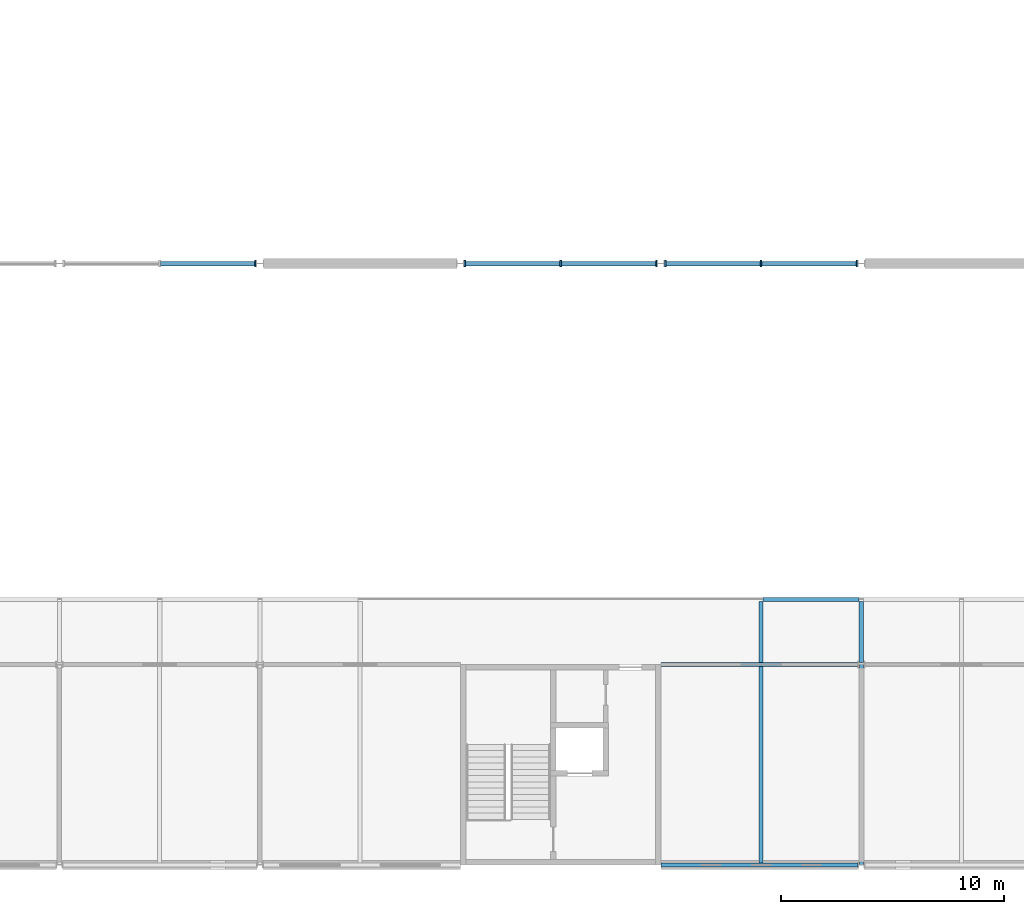
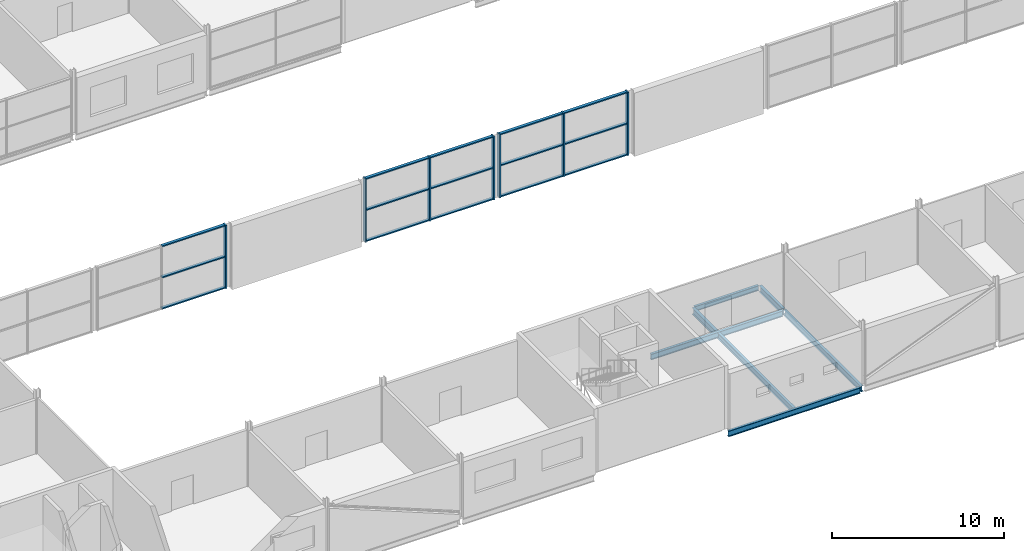
# One storey, part 29 of 97: 22 members, 7 beams, 3 elements without a shape of their own.
"""IFC4 building model written with IfcOpenShell, lengths in metres."""

from ifc_helpers import new_model, si_unit, direction, frame, origin, origin_2d, place, context, subcontext, project, spatial, rectangle, i_section, extrude, material, layer, layer_set, material_profile, profile_set, type_object, element, aggregate, save


model = new_model("IFC4")

# Units and contexts
model_context = context("Model", 3, precision=1e-05, world=origin(), true_north=direction((0.0, 1.0)))
body_context = subcontext(model_context, "Body", "Model", "MODEL_VIEW")
ifc_project = project(units=[si_unit("LENGTHUNIT", "METRE"), si_unit("AREAUNIT", "SQUARE_METRE"), si_unit("VOLUMEUNIT", "CUBIC_METRE"), si_unit("PLANEANGLEUNIT", "RADIAN"), si_unit("MASSUNIT", "GRAM", prefix="KILO")], contexts=[model_context])

# Site, building, storey
site_placement = place(None, origin())
site = spatial("IfcSite", under=ifc_project, at=site_placement, CompositionType="ELEMENT")
building_placement = place(site_placement, origin())
building = spatial("IfcBuilding", under=site, at=building_placement, Name="Corbel Yard City Hall", CompositionType="ELEMENT")
storey_placement = place(building_placement, frame((0.0, 0.0, 6.0)))
storey = spatial("IfcBuildingStorey", under=building, at=storey_placement, Name="L01", CompositionType="ELEMENT", Elevation=6.0)

# Beams
ifc_material_1 = material(Name="Steel Grade 300 (300 MPa yield)", Category="steel")
ifc_material_profile_1 = material_profile(ifc_material_1, i_section(OverallWidth=0.177978515625, OverallDepth=0.403076171875, WebThickness=0.007568359375, FlangeThickness=0.010986328125, at=origin_2d()), Name="410UB53.7")
ifc_profile_set_1 = profile_set([ifc_material_profile_1], Name="Steel Grade 300 (300 MPa yield)")
beam_type_1 = type_object("IfcBeamType", Name="Beam 410UB53.7", PredefinedType="BEAM", material=ifc_profile_set_1)
beam_1_placement = place(storey_placement, frame((63.0, 0.005859375, -0.3515625), z_axis=(0.0, 1.0, 0.0), x_axis=(-1.0, 0.0, 0.0)))
element("IfcBeam", 1, at=beam_1_placement, inside=storey, type_object=beam_type_1, Name="Beam 410UB53.7 SB6 L01floor", PredefinedType="BEAM", context=body_context, shape_type="SweptSolid", body=[
    extrude(i_section(OverallWidth=0.177978515625, OverallDepth=0.403076171875, WebThickness=0.007568359375, FlangeThickness=0.010986328125, at=origin_2d()), origin(), (0.0, 0.0, 1.0), 8.986328125),
])
ifc_material_profile_2 = material_profile(ifc_material_1, i_section(OverallWidth=0.177978515625, OverallDepth=0.406005859375, WebThickness=0.0078125, FlangeThickness=0.0126953125, at=origin_2d()), Name="410UB59.7")
ifc_profile_set_2 = profile_set([ifc_material_profile_2], Name="Steel Grade 300 (300 MPa yield)")
beam_type_2 = type_object("IfcBeamType", Name="Edge beam 410UB59.7", PredefinedType="BEAM", material=ifc_profile_set_2)
beam_2_placement = place(storey_placement, frame((54.0, 0.0, -0.35302734375), z_axis=(1.0, 0.0, 0.0), x_axis=(0.0, 1.0, 0.0)))
element("IfcBeam", 2, at=beam_2_placement, inside=storey, type_object=beam_type_2, Name="Edge beam 410UB59.7 EB2 L01floor", PredefinedType="BEAM", context=body_context, shape_type="SweptSolid", body=[
    extrude(i_section(OverallWidth=0.177978515625, OverallDepth=0.406005859375, WebThickness=0.0078125, FlangeThickness=0.0126953125, at=origin_2d()), origin(), (0.0, 0.0, 1.0), 8.842529296875),
])
beam_3_placement = place(storey_placement, frame((54.0, 9.0, -0.35302734375), z_axis=(1.0, 0.0, 0.0), x_axis=(0.0, 1.0, 0.0)))
element("IfcBeam", 3, at=beam_3_placement, inside=storey, type_object=beam_type_2, Name="Edge beam 410UB59.7 EB2 L01floor", PredefinedType="BEAM", context=body_context, shape_type="SweptSolid", body=[
    extrude(i_section(OverallWidth=0.177978515625, OverallDepth=0.406005859375, WebThickness=0.0078125, FlangeThickness=0.0126953125, at=origin_2d()), origin(), (0.0, 0.0, 1.0), 8.83642578125),
])
ifc_material_profile_3 = material_profile(ifc_material_1, i_section(OverallWidth=0.18994140625, OverallDepth=0.4541015625, WebThickness=0.008544921875, FlangeThickness=0.0126953125, at=origin_2d()), Name="460UB67.1")
ifc_profile_set_3 = profile_set([ifc_material_profile_3], Name="Steel Grade 300 (300 MPa yield)")
beam_type_3 = type_object("IfcBeamType", Name="Gallery bracket 460UB67.1", PredefinedType="BEAM", material=ifc_profile_set_3)
for number, where, z_axis, x_axis, name in (
    (4, (58.5, 9.089111328125, -0.376953125), (0.0, 1.0, 0.0), (-1.0, 0.0, 0.0), "Gallery bracket 460UB67.1 CB2 L01"),
    (5, (63.0, 9.089111328125, -0.376953125), (0.0, 1.0, 0.0), (-1.0, 0.0, 0.0), "Gallery bracket 460UB67.1 CB2 L01"),
):
    element("IfcBeam", number, at=place(storey_placement, frame(where, z_axis=z_axis, x_axis=x_axis)), inside=storey, type_object=beam_type_3, Name=name, PredefinedType="BEAM", context=body_context, shape_type="SweptSolid", body=[
        extrude(i_section(OverallWidth=0.18994140625, OverallDepth=0.4541015625, WebThickness=0.008544921875, FlangeThickness=0.0126953125, at=origin_2d()), origin(), (0.0, 0.0, 1.0), 2.739990234375),
    ])
ifc_material_profile_4 = material_profile(ifc_material_1, i_section(OverallWidth=0.1708984375, OverallDepth=0.35205078125, WebThickness=0.0068359375, FlangeThickness=0.009765625, at=origin_2d()), Name="360UB44.7")
ifc_profile_set_4 = profile_set([ifc_material_profile_4], Name="Steel Grade 300 (300 MPa yield)")
beam_type_4 = type_object("IfcBeamType", Name="Gallery edge beam 360UB44.7", PredefinedType="BEAM", material=ifc_profile_set_4)
beam_4_placement = place(storey_placement, frame((58.594970703125, 11.91455078125, -0.325927734375), z_axis=(1.0, 0.0, 0.0), x_axis=(0.0, 1.0, 0.0)))
element("IfcBeam", 6, at=beam_4_placement, inside=storey, type_object=beam_type_4, Name="Gallery edge beam 360UB44.7 EB13 L01", PredefinedType="BEAM", context=body_context, shape_type="SweptSolid", body=[
    extrude(i_section(OverallWidth=0.1708984375, OverallDepth=0.35205078125, WebThickness=0.0068359375, FlangeThickness=0.009765625, at=origin_2d()), origin(), (0.0, 0.0, 1.0), 4.31005859375),
])

# Curtain wall, member
ifc_material_2 = material(Name="Aluminium extrusion", Category="aluminium")
ifc_layer = layer(ifc_material_2, 0.300048828125)
ifc_layer_set = layer_set([ifc_layer], Name="Aluminium extrusion")
curtain_wall_type = type_object("IfcCurtainWallType", Name="CW7", PredefinedType="USERDEFINED", material=ifc_layer_set)
curtain_wall_1_placement = place(storey_placement, origin())
curtain_wall_1 = element("IfcCurtainWall", 7, at=curtain_wall_1_placement, inside=storey, type_object=curtain_wall_type, Name="Curtain wall CW7 L01", ObjectType="CURTAIN WALL", PredefinedType="USERDEFINED")
ifc_material_profile_5 = material_profile(ifc_material_2, rectangle(XDim=0.300048828125, YDim=0.080078125, at=origin_2d()), Name="300x80")
ifc_profile_set_5 = profile_set([ifc_material_profile_5], Name="Aluminium extrusion")
member_type_1 = type_object("IfcMemberType", Name="ML7", PredefinedType="MULLION", material=ifc_profile_set_5)
member_1_placement = place(storey_placement, frame((35.802490234375, 27.0, 0.0), z_axis=(0.0, 0.0, 1.0), x_axis=(0.0, 1.0, 0.0)))
member_1 = element("IfcMember", 8, at=member_1_placement, type_object=member_type_1, Name="CW7 mullion 3", PredefinedType="MULLION", context=body_context, shape_type="SweptSolid", body=[
    extrude(rectangle(XDim=0.300048828125, YDim=0.080078125, at=origin_2d()), origin(), (0.0, 0.0, 1.0), 4.5),
])

# Curtain wall, members
curtain_wall_2_placement = place(storey_placement, origin())
curtain_wall_2 = element("IfcCurtainWall", 9, at=curtain_wall_2_placement, inside=storey, type_object=curtain_wall_type, Name="Curtain wall CW7 L01", ObjectType="CURTAIN WALL", PredefinedType="USERDEFINED")
member_2_placement = place(storey_placement, frame((45.197509765625, 27.0, 0.0), z_axis=(0.0, 0.0, 1.0), x_axis=(0.0, 1.0, 0.0)))
member_2 = element("IfcMember", 10, at=member_2_placement, type_object=member_type_1, Name="CW7 mullion 1", PredefinedType="MULLION", context=body_context, shape_type="SweptSolid", body=[
    extrude(rectangle(XDim=0.300048828125, YDim=0.080078125, at=origin_2d()), origin(), (0.0, 0.0, 1.0), 4.5),
])
member_3_placement = place(storey_placement, frame((49.5, 27.0, 0.0), z_axis=(0.0, 0.0, 1.0), x_axis=(0.0, 1.0, 0.0)))
member_3 = element("IfcMember", 11, at=member_3_placement, type_object=member_type_1, Name="CW7 mullion 2", PredefinedType="MULLION", context=body_context, shape_type="SweptSolid", body=[
    extrude(rectangle(XDim=0.300048828125, YDim=0.080078125, at=origin_2d()), origin(), (0.0, 0.0, 1.0), 4.5),
])
member_4_placement = place(storey_placement, frame((53.802490234375, 27.0, 0.0), z_axis=(0.0, 0.0, 1.0), x_axis=(0.0, 1.0, 0.0)))
member_4 = element("IfcMember", 12, at=member_4_placement, type_object=member_type_1, Name="CW7 mullion 3", PredefinedType="MULLION", context=body_context, shape_type="SweptSolid", body=[
    extrude(rectangle(XDim=0.300048828125, YDim=0.080078125, at=origin_2d()), origin(), (0.0, 0.0, 1.0), 4.5),
])

curtain_wall_3_placement = place(storey_placement, origin())
curtain_wall_3 = element("IfcCurtainWall", 13, at=curtain_wall_3_placement, inside=storey, type_object=curtain_wall_type, Name="Curtain wall CW7 L01", ObjectType="CURTAIN WALL", PredefinedType="USERDEFINED")
member_5_placement = place(storey_placement, frame((54.197509765625, 27.0, 0.0), z_axis=(0.0, 0.0, 1.0), x_axis=(0.0, 1.0, 0.0)))
member_5 = element("IfcMember", 14, at=member_5_placement, type_object=member_type_1, Name="CW7 mullion 1", PredefinedType="MULLION", context=body_context, shape_type="SweptSolid", body=[
    extrude(rectangle(XDim=0.300048828125, YDim=0.080078125, at=origin_2d()), origin(), (0.0, 0.0, 1.0), 4.5),
])
member_6_placement = place(storey_placement, frame((58.5, 27.0, 0.0), z_axis=(0.0, 0.0, 1.0), x_axis=(0.0, 1.0, 0.0)))
member_6 = element("IfcMember", 15, at=member_6_placement, type_object=member_type_1, Name="CW7 mullion 2", PredefinedType="MULLION", context=body_context, shape_type="SweptSolid", body=[
    extrude(rectangle(XDim=0.300048828125, YDim=0.080078125, at=origin_2d()), origin(), (0.0, 0.0, 1.0), 4.5),
])
member_7_placement = place(storey_placement, frame((62.802490234375, 27.0, 0.0), z_axis=(0.0, 0.0, 1.0), x_axis=(0.0, 1.0, 0.0)))
member_7 = element("IfcMember", 16, at=member_7_placement, type_object=member_type_1, Name="CW7 mullion 3", PredefinedType="MULLION", context=body_context, shape_type="SweptSolid", body=[
    extrude(rectangle(XDim=0.300048828125, YDim=0.080078125, at=origin_2d()), origin(), (0.0, 0.0, 1.0), 4.5),
])

# Beam
ifc_material_profile_6 = material_profile(ifc_material_1, i_section(OverallWidth=0.177978515625, OverallDepth=0.403076171875, WebThickness=0.007568359375, FlangeThickness=0.010986328125, at=origin_2d()), Name="410UB53.7")
ifc_profile_set_6 = profile_set([ifc_material_profile_6], Name="Steel Grade 300 (300 MPa yield)")
beam_type_5 = type_object("IfcBeamType", Name="Secondary beam 410UB53.7", PredefinedType="JOIST", material=ifc_profile_set_6)
beam_5_placement = place(storey_placement, frame((58.5, 0.089111328125, -0.3515625), z_axis=(0.0, 1.0, 0.0), x_axis=(-1.0, 0.0, 0.0)))
element("IfcBeam", 17, at=beam_5_placement, inside=storey, type_object=beam_type_5, Name="Secondary beam 410UB53.7 SB5 L01floor", PredefinedType="JOIST", context=body_context, shape_type="SweptSolid", body=[
    extrude(i_section(OverallWidth=0.177978515625, OverallDepth=0.403076171875, WebThickness=0.007568359375, FlangeThickness=0.010986328125, at=origin_2d()), origin(), (0.0, 0.0, 1.0), 8.82177734375),
])

# Member
ifc_material_profile_7 = material_profile(ifc_material_2, rectangle(XDim=0.199951171875, YDim=0.080078125, at=origin_2d()), Name="200x80")
ifc_profile_set_7 = profile_set([ifc_material_profile_7], Name="Aluminium extrusion")
member_type_2 = type_object("IfcMemberType", Name="TR7", PredefinedType="USERDEFINED", material=ifc_profile_set_7)
member_8_placement = place(storey_placement, frame((31.5400390625, 27.0, 0.0400390625), z_axis=(1.0, 0.0, 0.0), x_axis=(0.0, 1.0, 0.0)))
member_8 = element("IfcMember", 18, at=member_8_placement, type_object=member_type_2, Name="CW7 transom 2.1", ObjectType="TRANSOM", PredefinedType="USERDEFINED", context=body_context, shape_type="SweptSolid", body=[
    extrude(rectangle(XDim=0.199951171875, YDim=0.080078125, at=origin_2d()), origin(), (0.0, 0.0, 1.0), 4.222412109375),
])

member_9_placement = place(storey_placement, frame((31.5400390625, 27.0, 2.25), z_axis=(1.0, 0.0, 0.0), x_axis=(0.0, 1.0, 0.0)))
member_9 = element("IfcMember", 19, at=member_9_placement, type_object=member_type_2, Name="CW7 transom 2.2", ObjectType="TRANSOM", PredefinedType="USERDEFINED", context=body_context, shape_type="SweptSolid", body=[
    extrude(rectangle(XDim=0.199951171875, YDim=0.080078125, at=origin_2d()), origin(), (0.0, 0.0, 1.0), 4.222412109375),
])

member_10_placement = place(storey_placement, frame((31.5400390625, 27.0, 4.4599609375), z_axis=(1.0, 0.0, 0.0), x_axis=(0.0, 1.0, 0.0)))
member_10 = element("IfcMember", 20, at=member_10_placement, type_object=member_type_2, Name="CW7 transom 2.3", ObjectType="TRANSOM", PredefinedType="USERDEFINED", context=body_context, shape_type="SweptSolid", body=[
    extrude(rectangle(XDim=0.199951171875, YDim=0.080078125, at=origin_2d()), origin(), (0.0, 0.0, 1.0), 4.222412109375),
])

aggregate(curtain_wall_1, [member_1, member_8, member_9, member_10])

member_11_placement = place(storey_placement, frame((45.237548828125, 27.0, 0.0400390625), z_axis=(1.0, 0.0, 0.0), x_axis=(0.0, 1.0, 0.0)))
member_11 = element("IfcMember", 21, at=member_11_placement, type_object=member_type_2, Name="CW7 transom 1.1", ObjectType="TRANSOM", PredefinedType="USERDEFINED", context=body_context, shape_type="SweptSolid", body=[
    extrude(rectangle(XDim=0.199951171875, YDim=0.080078125, at=origin_2d()), origin(), (0.0, 0.0, 1.0), 4.222412109375),
])

member_12_placement = place(storey_placement, frame((45.237548828125, 27.0, 2.25), z_axis=(1.0, 0.0, 0.0), x_axis=(0.0, 1.0, 0.0)))
member_12 = element("IfcMember", 22, at=member_12_placement, type_object=member_type_2, Name="CW7 transom 1.2", ObjectType="TRANSOM", PredefinedType="USERDEFINED", context=body_context, shape_type="SweptSolid", body=[
    extrude(rectangle(XDim=0.199951171875, YDim=0.080078125, at=origin_2d()), origin(), (0.0, 0.0, 1.0), 4.222412109375),
])

member_13_placement = place(storey_placement, frame((45.237548828125, 27.0, 4.4599609375), z_axis=(1.0, 0.0, 0.0), x_axis=(0.0, 1.0, 0.0)))
member_13 = element("IfcMember", 23, at=member_13_placement, type_object=member_type_2, Name="CW7 transom 1.3", ObjectType="TRANSOM", PredefinedType="USERDEFINED", context=body_context, shape_type="SweptSolid", body=[
    extrude(rectangle(XDim=0.199951171875, YDim=0.080078125, at=origin_2d()), origin(), (0.0, 0.0, 1.0), 4.222412109375),
])

member_14_placement = place(storey_placement, frame((49.5400390625, 27.0, 0.0400390625), z_axis=(1.0, 0.0, 0.0), x_axis=(0.0, 1.0, 0.0)))
member_14 = element("IfcMember", 24, at=member_14_placement, type_object=member_type_2, Name="CW7 transom 2.1", ObjectType="TRANSOM", PredefinedType="USERDEFINED", context=body_context, shape_type="SweptSolid", body=[
    extrude(rectangle(XDim=0.199951171875, YDim=0.080078125, at=origin_2d()), origin(), (0.0, 0.0, 1.0), 4.222412109375),
])

member_15_placement = place(storey_placement, frame((49.5400390625, 27.0, 2.25), z_axis=(1.0, 0.0, 0.0), x_axis=(0.0, 1.0, 0.0)))
member_15 = element("IfcMember", 25, at=member_15_placement, type_object=member_type_2, Name="CW7 transom 2.2", ObjectType="TRANSOM", PredefinedType="USERDEFINED", context=body_context, shape_type="SweptSolid", body=[
    extrude(rectangle(XDim=0.199951171875, YDim=0.080078125, at=origin_2d()), origin(), (0.0, 0.0, 1.0), 4.222412109375),
])

member_16_placement = place(storey_placement, frame((49.5400390625, 27.0, 4.4599609375), z_axis=(1.0, 0.0, 0.0), x_axis=(0.0, 1.0, 0.0)))
member_16 = element("IfcMember", 26, at=member_16_placement, type_object=member_type_2, Name="CW7 transom 2.3", ObjectType="TRANSOM", PredefinedType="USERDEFINED", context=body_context, shape_type="SweptSolid", body=[
    extrude(rectangle(XDim=0.199951171875, YDim=0.080078125, at=origin_2d()), origin(), (0.0, 0.0, 1.0), 4.222412109375),
])

aggregate(curtain_wall_2, [member_2, member_3, member_4, member_11, member_12, member_13, member_14, member_15, member_16])

member_17_placement = place(storey_placement, frame((54.237548828125, 27.0, 0.0400390625), z_axis=(1.0, 0.0, 0.0), x_axis=(0.0, 1.0, 0.0)))
member_17 = element("IfcMember", 27, at=member_17_placement, type_object=member_type_2, Name="CW7 transom 1.1", ObjectType="TRANSOM", PredefinedType="USERDEFINED", context=body_context, shape_type="SweptSolid", body=[
    extrude(rectangle(XDim=0.199951171875, YDim=0.080078125, at=origin_2d()), origin(), (0.0, 0.0, 1.0), 4.222412109375),
])

member_18_placement = place(storey_placement, frame((54.237548828125, 27.0, 2.25), z_axis=(1.0, 0.0, 0.0), x_axis=(0.0, 1.0, 0.0)))
member_18 = element("IfcMember", 28, at=member_18_placement, type_object=member_type_2, Name="CW7 transom 1.2", ObjectType="TRANSOM", PredefinedType="USERDEFINED", context=body_context, shape_type="SweptSolid", body=[
    extrude(rectangle(XDim=0.199951171875, YDim=0.080078125, at=origin_2d()), origin(), (0.0, 0.0, 1.0), 4.222412109375),
])

member_19_placement = place(storey_placement, frame((54.237548828125, 27.0, 4.4599609375), z_axis=(1.0, 0.0, 0.0), x_axis=(0.0, 1.0, 0.0)))
member_19 = element("IfcMember", 29, at=member_19_placement, type_object=member_type_2, Name="CW7 transom 1.3", ObjectType="TRANSOM", PredefinedType="USERDEFINED", context=body_context, shape_type="SweptSolid", body=[
    extrude(rectangle(XDim=0.199951171875, YDim=0.080078125, at=origin_2d()), origin(), (0.0, 0.0, 1.0), 4.222412109375),
])

member_20_placement = place(storey_placement, frame((58.5400390625, 27.0, 0.0400390625), z_axis=(1.0, 0.0, 0.0), x_axis=(0.0, 1.0, 0.0)))
member_20 = element("IfcMember", 30, at=member_20_placement, type_object=member_type_2, Name="CW7 transom 2.1", ObjectType="TRANSOM", PredefinedType="USERDEFINED", context=body_context, shape_type="SweptSolid", body=[
    extrude(rectangle(XDim=0.199951171875, YDim=0.080078125, at=origin_2d()), origin(), (0.0, 0.0, 1.0), 4.222412109375),
])

member_21_placement = place(storey_placement, frame((58.5400390625, 27.0, 2.25), z_axis=(1.0, 0.0, 0.0), x_axis=(0.0, 1.0, 0.0)))
member_21 = element("IfcMember", 31, at=member_21_placement, type_object=member_type_2, Name="CW7 transom 2.2", ObjectType="TRANSOM", PredefinedType="USERDEFINED", context=body_context, shape_type="SweptSolid", body=[
    extrude(rectangle(XDim=0.199951171875, YDim=0.080078125, at=origin_2d()), origin(), (0.0, 0.0, 1.0), 4.222412109375),
])

member_22_placement = place(storey_placement, frame((58.5400390625, 27.0, 4.4599609375), z_axis=(1.0, 0.0, 0.0), x_axis=(0.0, 1.0, 0.0)))
member_22 = element("IfcMember", 32, at=member_22_placement, type_object=member_type_2, Name="CW7 transom 2.3", ObjectType="TRANSOM", PredefinedType="USERDEFINED", context=body_context, shape_type="SweptSolid", body=[
    extrude(rectangle(XDim=0.199951171875, YDim=0.080078125, at=origin_2d()), origin(), (0.0, 0.0, 1.0), 4.222412109375),
])

aggregate(curtain_wall_3, [member_5, member_6, member_7, member_17, member_18, member_19, member_20, member_21, member_22])

save(model, "model.ifc")
